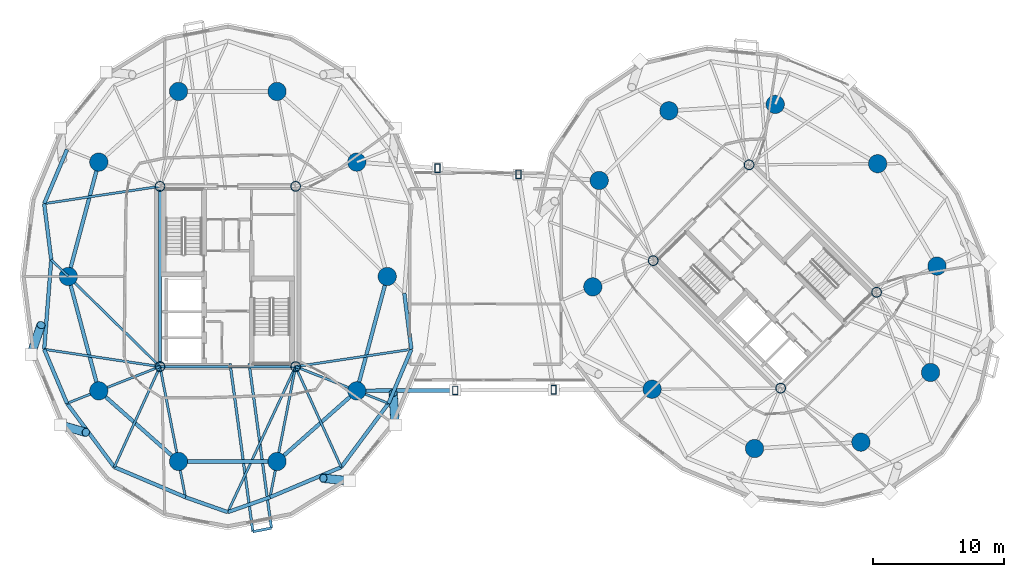
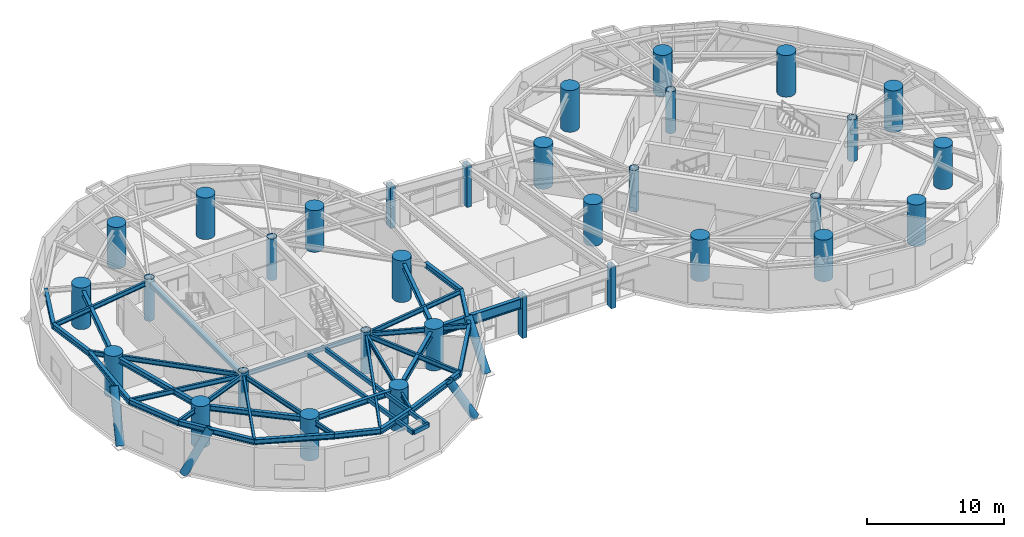
# One storey, part 1 of 20: 36 beams, 32 columns, 4 members.
"""IFC4 building model written with IfcOpenShell, lengths in metres."""

from ifc_helpers import new_model, si_unit, direction, frame, origin, origin_2d, place, context, subcontext, project, spatial, hollow_rectangle, circle, hollow_circle, i_section, extrude, material, material_profile, profile_set, type_object, element, save


model = new_model("IFC4")

# Units and contexts
model_context = context("Model", 3, precision=1e-05, world=origin(), true_north=direction((0.0, 1.0)))
body_context = subcontext(model_context, "Body", "Model", "MODEL_VIEW")
ifc_project = project(units=[si_unit("LENGTHUNIT", "METRE"), si_unit("AREAUNIT", "SQUARE_METRE"), si_unit("VOLUMEUNIT", "CUBIC_METRE"), si_unit("PLANEANGLEUNIT", "RADIAN"), si_unit("MASSUNIT", "GRAM", prefix="KILO")], contexts=[model_context])

# Site, building, storey
site_placement = place(None, origin())
site = spatial("IfcSite", under=ifc_project, at=site_placement, CompositionType="ELEMENT")
building_placement = place(site_placement, origin())
building = spatial("IfcBuilding", under=site, at=building_placement, Name="Cununo Teusaquillo Station Towers", CompositionType="ELEMENT")
storey_placement = place(building_placement, frame((0.0, 0.0, 140.320068359375)))
storey = spatial("IfcBuildingStorey", under=building, at=storey_placement, Name="L44", CompositionType="ELEMENT", Elevation=140.320068359375)

# Columns
ifc_material_1 = material(Name="Steel ASTM A572 Grade 50", Category="steel")
ifc_material_profile_1 = material_profile(ifc_material_1, hollow_rectangle(XDim=0.39990234375, YDim=0.64990234375, WallThickness=0.02490234375, at=origin_2d()), Name="RHS 650x400x25")
ifc_profile_set_1 = profile_set([ifc_material_profile_1], Name="Steel ASTM A572 Grade 50")
column_type_1 = type_object("IfcColumnType", Name="COL-BRG-POST", PredefinedType="COLUMN", material=ifc_profile_set_1)
for number, where, z_axis, x_axis, name in (
    (1, (33.862548828125, 15.81201171875, 0.0), (0.0, 0.0, 1.0), (1.0, 0.0, 0.0), "L44 Mid-Bridge Vierendeel Post S1"),
    (2, (41.377685546875, 15.8525390625, 0.0), (0.0, 0.0, 1.0), (1.0, 0.0, 0.0), "L44 Mid-Bridge Vierendeel Post S2"),
    (3, (32.51611328125, 32.761474609375, 0.0), (0.0, 0.0, 1.0), (1.0, 0.0, 0.0), "L44 Mid-Bridge Vierendeel Post N1"),
    (4, (38.684814453125, 32.294189453125, 0.0), (0.0, 0.0, 1.0), (1.0, 0.0, 0.0), "L44 Mid-Bridge Vierendeel Post N2"),
):
    element("IfcColumn", number, at=place(storey_placement, frame(where, z_axis=z_axis, x_axis=x_axis)), inside=storey, type_object=column_type_1, Name=name, PredefinedType="COLUMN", context=body_context, shape_type="SweptSolid", body=[
        extrude(hollow_rectangle(XDim=0.39990234375, YDim=0.64990234375, WallThickness=0.02490234375, at=origin_2d()), origin(), (0.0, 0.0, 1.0), 3.719970703125),
    ])
ifc_material_2 = material(Name="Steel EN 10025-2 S355J2", Category="steel")
ifc_material_profile_2 = material_profile(ifc_material_2, hollow_circle(Radius=0.3798828125, WallThickness=0.031982421875, at=origin_2d()), Name="CHS 760x32")
ifc_profile_set_2 = profile_set([ifc_material_profile_2], Name="Steel EN 10025-2 S355J2")
column_type_2 = type_object("IfcColumnType", Name="COL-CORE-Z2", PredefinedType="COLUMN", material=ifc_profile_set_2)
for number, where, z_axis, x_axis, name in (
    (5, (11.324951171875, 17.6201171875, 0.0), (0.0, 0.0, 1.0), (1.0, 0.0, 0.0), "L44 Tower A Core Column 1"),
    (6, (11.324951171875, 31.3798828125, 0.0), (0.0, 0.0, 1.0), (1.0, 0.0, 0.0), "L44 Tower A Core Column 2"),
    (7, (21.675048828125, 17.6201171875, 0.0), (0.0, 0.0, 1.0), (1.0, 0.0, 0.0), "L44 Tower A Core Column 3"),
    (8, (21.675048828125, 31.3798828125, 0.0), (0.0, 0.0, 1.0), (1.0, 0.0, 0.0), "L44 Tower A Core Column 4"),
    (9, (58.70556640625, 15.975830078125, 0.0), (0.0, 0.0, 1.0), (0.707106781187, 0.707106781187, 0.0), "L44 Tower B Core Column 1"),
    (10, (48.975830078125, 25.70556640625, 0.0), (0.0, 0.0, 1.0), (0.707106781187, 0.707106781187, 0.0), "L44 Tower B Core Column 2"),
    (11, (66.024169921875, 23.29443359375, 0.0), (0.0, 0.0, 1.0), (0.707106781187, 0.707106781187, 0.0), "L44 Tower B Core Column 3"),
    (12, (56.29443359375, 33.024169921875, 0.0), (0.0, 0.0, 1.0), (0.707106781187, 0.707106781187, 0.0), "L44 Tower B Core Column 4"),
):
    element("IfcColumn", number, at=place(storey_placement, frame(where, z_axis=z_axis, x_axis=x_axis)), inside=storey, type_object=column_type_2, Name=name, PredefinedType="COLUMN", context=body_context, shape_type="SweptSolid", body=[
        extrude(hollow_circle(Radius=0.3798828125, WallThickness=0.031982421875, at=origin_2d()), origin(), (0.0, 0.0, 1.0), 3.719970703125),
    ])
ifc_material_3 = material(Name="Concrete C60/75", Category="concrete")
ifc_material_profile_3 = material_profile(ifc_material_3, circle(Radius=0.699951171875, at=origin_2d()), Name="RC-CIRC-1400")
ifc_profile_set_3 = profile_set([ifc_material_profile_3], Name="Concrete C60/75")
column_type_3 = type_object("IfcColumnType", Name="COL-MEGA-Z2", PredefinedType="USERDEFINED", material=ifc_profile_set_3)
for number, where, z_axis, x_axis, name in (
    (13, (28.672119140625, 24.5, 0.0), (0.0, 0.0, 1.0), (1.0, 0.0, 0.0), "L44 Tower A Perimeter Column V00"),
    (14, (26.347412109375, 33.228515625, 0.0), (0.0, 0.0, 1.0), (1.0, 0.0, 0.0), "L44 Tower A Perimeter Column V02"),
    (15, (20.261474609375, 38.623291015625, 0.0), (0.0, 0.0, 1.0), (1.0, 0.0, 0.0), "L44 Tower A Perimeter Column V04"),
    (16, (12.738525390625, 38.623291015625, 0.0), (0.0, 0.0, 1.0), (1.0, 0.0, 0.0), "L44 Tower A Perimeter Column V06"),
    (17, (6.652587890625, 33.228515625, 0.0), (0.0, 0.0, 1.0), (1.0, 0.0, 0.0), "L44 Tower A Perimeter Column V08"),
    (18, (4.327880859375, 24.5, 0.0), (0.0, 0.0, 1.0), (1.0, 0.0, 0.0), "L44 Tower A Perimeter Column V10"),
    (19, (6.652587890625, 15.771484375, 0.0), (0.0, 0.0, 1.0), (1.0, 0.0, 0.0), "L44 Tower A Perimeter Column V12"),
    (20, (12.738525390625, 10.376708984375, 0.0), (0.0, 0.0, 1.0), (1.0, 0.0, 0.0), "L44 Tower A Perimeter Column V14"),
    (21, (20.261474609375, 10.376708984375, 0.0), (0.0, 0.0, 1.0), (1.0, 0.0, 0.0), "L44 Tower A Perimeter Column V16"),
    (22, (26.347412109375, 15.771484375, 0.0), (0.0, 0.0, 1.0), (1.0, 0.0, 0.0), "L44 Tower A Perimeter Column V18"),
    (23, (66.10693359375, 33.10693359375, 0.0), (0.0, 0.0, 1.0), (1.0, 0.0, 0.0), "L44 Tower B Perimeter Column V00"),
    (24, (58.291015625, 37.63525390625, 0.0), (0.0, 0.0, 1.0), (1.0, 0.0, 0.0), "L44 Tower B Perimeter Column V02"),
    (25, (50.173095703125, 37.146240234375, 0.0), (0.0, 0.0, 1.0), (1.0, 0.0, 0.0), "L44 Tower B Perimeter Column V04"),
    (26, (44.853759765625, 31.826904296875, 0.0), (0.0, 0.0, 1.0), (1.0, 0.0, 0.0), "L44 Tower B Perimeter Column V06"),
    (27, (44.36474609375, 23.708984375, 0.0), (0.0, 0.0, 1.0), (1.0, 0.0, 0.0), "L44 Tower B Perimeter Column V08"),
    (28, (48.89306640625, 15.89306640625, 0.0), (0.0, 0.0, 1.0), (1.0, 0.0, 0.0), "L44 Tower B Perimeter Column V10"),
    (29, (56.708984375, 11.36474609375, 0.0), (0.0, 0.0, 1.0), (1.0, 0.0, 0.0), "L44 Tower B Perimeter Column V12"),
    (30, (64.826904296875, 11.853759765625, 0.0), (0.0, 0.0, 1.0), (1.0, 0.0, 0.0), "L44 Tower B Perimeter Column V14"),
    (31, (70.146240234375, 17.173095703125, 0.0), (0.0, 0.0, 1.0), (1.0, 0.0, 0.0), "L44 Tower B Perimeter Column V16"),
    (32, (70.63525390625, 25.291015625, 0.0), (0.0, 0.0, 1.0), (1.0, 0.0, 0.0), "L44 Tower B Perimeter Column V18"),
):
    element("IfcColumn", number, at=place(storey_placement, frame(where, z_axis=z_axis, x_axis=x_axis)), inside=storey, type_object=column_type_3, Name=name, ObjectType="MEGA COLUMN", PredefinedType="USERDEFINED", context=body_context, shape_type="SweptSolid", body=[
        extrude(circle(Radius=0.699951171875, at=origin_2d()), origin(), (0.0, 0.0, 1.0), 3.719970703125),
    ])

# Beams
ifc_material_4 = material(Name="Steel EN 10025-2 S355J2", Category="steel")
ifc_material_profile_4 = material_profile(ifc_material_4, hollow_rectangle(XDim=0.199951171875, YDim=0.35009765625, WallThickness=0.013916015625, at=origin_2d()), Name="RHS 350x200x14")
ifc_profile_set_4 = profile_set([ifc_material_profile_4], Name="Steel EN 10025-2 S355J2")
beam_type_1 = type_object("IfcBeamType", Name="BM-BAL-CANT", PredefinedType="BEAM", material=ifc_profile_set_4)
beam_1_placement = place(storey_placement, frame((16.674560546875, 17.85009765625, 3.304931640625), z_axis=(0.13427925042, -0.990943531644, 0.0), x_axis=(0.990943531644, 0.13427925042, 0.0)))
element("IfcBeam", 33, at=beam_1_placement, inside=storey, type_object=beam_type_1, Name="L44 Tower A Balcony Cantilever Bracket 2A", PredefinedType="BEAM", context=body_context, shape_type="SweptSolid", body=[
    extrude(hollow_rectangle(XDim=0.199951171875, YDim=0.35009765625, WallThickness=0.013916015625, at=origin_2d()), origin(), (0.0, 0.0, 1.0), 12.947021484375),
])
beam_2_placement = place(storey_placement, frame((18.127685546875, 17.85009765625, 3.304931640625), z_axis=(0.134274846508, -0.990944128392, 0.0), x_axis=(0.990944128392, 0.134274846508, 0.0)))
element("IfcBeam", 34, at=beam_2_placement, inside=storey, type_object=beam_type_1, Name="L44 Tower A Balcony Cantilever Bracket 2B", PredefinedType="BEAM", context=body_context, shape_type="SweptSolid", body=[
    extrude(hollow_rectangle(XDim=0.199951171875, YDim=0.35009765625, WallThickness=0.013916015625, at=origin_2d()), origin(), (0.0, 0.0, 1.0), 12.671142578125),
])
ifc_material_5 = material(Name="Steel EN 10025-2 S355J2", Category="steel")
ifc_material_profile_5 = material_profile(ifc_material_5, i_section(OverallWidth=0.300048828125, OverallDepth=0.89990234375, WebThickness=0.0185546875, FlangeThickness=0.034912109375, FilletRadius=0.027099609375, at=origin_2d()), Name="HEB 900")
ifc_profile_set_5 = profile_set([ifc_material_profile_5], Name="Steel EN 10025-2 S355J2")
beam_type_2 = type_object("IfcBeamType", Name="BM-BRG-CH2", PredefinedType="BEAM", material=ifc_profile_set_5)
beam_3_placement = place(storey_placement, frame((26.347412109375, 15.771484375, 3.02001953125), z_axis=(0.999985459376, 0.00539268359, 0.0), x_axis=(-0.00539268359, 0.999985459376, 0.0)))
element("IfcBeam", 35, at=beam_3_placement, inside=storey, type_object=beam_type_2, Name="L44 Mid-Bridge Chord S1", PredefinedType="BEAM", context=body_context, shape_type="SweptSolid", body=[
    extrude(i_section(OverallWidth=0.300048828125, OverallDepth=0.89990234375, WebThickness=0.0185546875, FlangeThickness=0.034912109375, FilletRadius=0.027099609375, at=origin_2d()), origin(), (0.0, 0.0, 1.0), 7.51513671875),
])
ifc_material_6 = material(Name="Steel EN 10025-2 S355J2", Category="steel")
ifc_material_profile_6 = material_profile(ifc_material_6, hollow_rectangle(XDim=0.25, YDim=0.449951171875, WallThickness=0.01611328125, at=origin_2d()), Name="RHS 450x250x16")
ifc_profile_set_6 = profile_set([ifc_material_profile_6], Name="Steel EN 10025-2 S355J2")
beam_type_3 = type_object("IfcBeamType", Name="BM-COUP-1", PredefinedType="USERDEFINED", material=ifc_profile_set_6)
beam_4_placement = place(storey_placement, frame((11.324951171875, 17.6201171875, 3.2548828125), z_axis=(0.0, 1.0, 0.0), x_axis=(-1.0, 0.0, 0.0)))
element("IfcBeam", 36, at=beam_4_placement, inside=storey, type_object=beam_type_3, Name="L44 Tower A Core Beam 1", ObjectType="COUPLING BEAM", PredefinedType="USERDEFINED", context=body_context, shape_type="SweptSolid", body=[
    extrude(hollow_rectangle(XDim=0.25, YDim=0.449951171875, WallThickness=0.01611328125, at=origin_2d()), origin(), (0.0, 0.0, 1.0), 13.759765625),
])
ifc_material_7 = material(Name="Steel ASTM A572 Grade 50", Category="steel")
ifc_material_profile_7 = material_profile(ifc_material_7, i_section(OverallWidth=0.180908203125, OverallDepth=0.4169921875, WebThickness=0.010986328125, FlangeThickness=0.018310546875, FilletRadius=0.012939453125, at=origin_2d()), Name="W16X57")
ifc_profile_set_7 = profile_set([ifc_material_profile_7], Name="Steel ASTM A572 Grade 50")
beam_type_4 = type_object("IfcBeamType", Name="BM-JOIST-1", PredefinedType="JOIST", material=ifc_profile_set_7)
for number, where, z_axis, x_axis, name in (
    (37, (11.324951171875, 31.3798828125, 3.271484375), (-0.989018754675, -0.147790063606, 0.0), (0.147790063606, -0.989018754675, 0.0), "L44 Tower A Radial Spandrel Joist V09"),
    (38, (11.324951171875, 17.6201171875, 3.271484375), (-0.989018754675, 0.147790063606, 0.0), (-0.147790063606, -0.989018754675, 0.0), "L44 Tower A Radial Spandrel Joist V11"),
):
    element("IfcBeam", number, at=place(storey_placement, frame(where, z_axis=z_axis, x_axis=x_axis)), inside=storey, type_object=beam_type_4, Name=name, PredefinedType="JOIST", context=body_context, shape_type="SweptSolid", body=[
        extrude(i_section(OverallWidth=0.180908203125, OverallDepth=0.4169921875, WebThickness=0.010986328125, FlangeThickness=0.018310546875, FilletRadius=0.012939453125, at=origin_2d()), origin(), (0.0, 0.0, 1.0), 8.93701171875),
    ])
beam_5_placement = place(storey_placement, frame((11.324951171875, 17.6201171875, 3.271484375), z_axis=(-0.413558514621, -0.910477542274, 0.0), x_axis=(0.910477542274, -0.413558514621, 0.0)))
element("IfcBeam", 39, at=beam_5_placement, inside=storey, type_object=beam_type_4, Name="L44 Tower A Radial Spandrel Joist V13", PredefinedType="JOIST", context=body_context, shape_type="SweptSolid", body=[
    extrude(i_section(OverallWidth=0.180908203125, OverallDepth=0.4169921875, WebThickness=0.010986328125, FlangeThickness=0.018310546875, FilletRadius=0.012939453125, at=origin_2d()), origin(), (0.0, 0.0, 1.0), 8.428955078125),
])
beam_6_placement = place(storey_placement, frame((21.675048828125, 17.6201171875, 3.271484375), z_axis=(-0.422237603969, -0.906485193368, 0.0), x_axis=(0.906485193368, -0.422237603969, 0.0)))
element("IfcBeam", 40, at=beam_6_placement, inside=storey, type_object=beam_type_4, Name="L44 Tower A Radial Spandrel Joist V15", PredefinedType="JOIST", context=body_context, shape_type="SweptSolid", body=[
    extrude(i_section(OverallWidth=0.180908203125, OverallDepth=0.4169921875, WebThickness=0.010986328125, FlangeThickness=0.018310546875, FilletRadius=0.012939453125, at=origin_2d()), origin(), (0.0, 0.0, 1.0), 12.25634765625),
])
beam_7_placement = place(storey_placement, frame((21.675048828125, 17.6201171875, 3.271484375), z_axis=(0.413558514621, -0.910477542274, 0.0), x_axis=(0.910477542274, 0.413558514621, 0.0)))
element("IfcBeam", 41, at=beam_7_placement, inside=storey, type_object=beam_type_4, Name="L44 Tower A Radial Spandrel Joist V17", PredefinedType="JOIST", context=body_context, shape_type="SweptSolid", body=[
    extrude(i_section(OverallWidth=0.180908203125, OverallDepth=0.4169921875, WebThickness=0.010986328125, FlangeThickness=0.018310546875, FilletRadius=0.012939453125, at=origin_2d()), origin(), (0.0, 0.0, 1.0), 8.428955078125),
])
beam_8_placement = place(storey_placement, frame((21.675048828125, 17.6201171875, 3.271484375), z_axis=(0.989018754675, 0.147790063606, 0.0), x_axis=(-0.147790063606, 0.989018754675, 0.0)))
element("IfcBeam", 42, at=beam_8_placement, inside=storey, type_object=beam_type_4, Name="L44 Tower A Radial Spandrel Joist V19", PredefinedType="JOIST", context=body_context, shape_type="SweptSolid", body=[
    extrude(i_section(OverallWidth=0.180908203125, OverallDepth=0.4169921875, WebThickness=0.010986328125, FlangeThickness=0.018310546875, FilletRadius=0.012939453125, at=origin_2d()), origin(), (0.0, 0.0, 1.0), 8.93701171875),
])
ifc_material_8 = material(Name="Steel ASTM A572 Grade 50", Category="steel")
ifc_material_profile_8 = material_profile(ifc_material_8, i_section(OverallWidth=0.2041015625, OverallDepth=0.35009765625, WebThickness=0.008544921875, FlangeThickness=0.01513671875, FilletRadius=0.011962890625, at=origin_2d()), Name="W14X48")
ifc_profile_set_8 = profile_set([ifc_material_profile_8], Name="Steel ASTM A572 Grade 50")
beam_type_5 = type_object("IfcBeamType", Name="BM-LINTEL-1", PredefinedType="LINTEL", material=ifc_profile_set_8)
beam_9_placement = place(storey_placement, frame((11.324951171875, 17.6201171875, 3.304931640625), z_axis=(1.0, 0.0, 0.0), x_axis=(0.0, 1.0, 0.0)))
element("IfcBeam", 43, at=beam_9_placement, inside=storey, type_object=beam_type_5, Name="L44 Tower A Core Beam 3", PredefinedType="LINTEL", context=body_context, shape_type="SweptSolid", body=[
    extrude(i_section(OverallWidth=0.2041015625, OverallDepth=0.35009765625, WebThickness=0.008544921875, FlangeThickness=0.01513671875, FilletRadius=0.011962890625, at=origin_2d()), origin(), (0.0, 0.0, 1.0), 10.35009765625),
])
ifc_material_9 = material(Name="Steel ASTM A572 Grade 50", Category="steel")
ifc_material_profile_9 = material_profile(ifc_material_9, i_section(OverallWidth=0.180908203125, OverallDepth=0.4169921875, WebThickness=0.010986328125, FlangeThickness=0.018310546875, FilletRadius=0.012939453125, at=origin_2d()), Name="W16X57")
ifc_profile_set_9 = profile_set([ifc_material_profile_9], Name="Steel ASTM A572 Grade 50")
beam_type_6 = type_object("IfcBeamType", Name="BM-RAD-G2", PredefinedType="BEAM", material=ifc_profile_set_9)
beam_10_placement = place(storey_placement, frame((11.324951171875, 17.6201171875, 3.271484375), z_axis=(-0.713052701438, 0.701110437073, 0.0), x_axis=(-0.701110437073, -0.713052701438, 0.0)))
element("IfcBeam", 44, at=beam_10_placement, inside=storey, type_object=beam_type_6, Name="L44 Tower A Radial Girder 06A", PredefinedType="BEAM", context=body_context, shape_type="SweptSolid", body=[
    extrude(i_section(OverallWidth=0.180908203125, OverallDepth=0.4169921875, WebThickness=0.010986328125, FlangeThickness=0.018310546875, FilletRadius=0.012939453125, at=origin_2d()), origin(), (0.0, 0.0, 1.0), 9.812744140625),
])
beam_11_placement = place(storey_placement, frame((4.327880859375, 24.5, 3.271484375), z_axis=(-0.713027019349, 0.701136555657, 0.0), x_axis=(-0.701136555657, -0.713027019349, 0.0)))
element("IfcBeam", 45, at=beam_11_placement, inside=storey, type_object=beam_type_6, Name="L44 Tower A Perimeter Overhang Girder 06B", PredefinedType="BEAM", context=body_context, shape_type="SweptSolid", body=[
    extrude(i_section(OverallWidth=0.180908203125, OverallDepth=0.4169921875, WebThickness=0.010986328125, FlangeThickness=0.018310546875, FilletRadius=0.012939453125, at=origin_2d()), origin(), (0.0, 0.0, 1.0), 1.827392578125),
])
beam_12_placement = place(storey_placement, frame((11.324951171875, 17.6201171875, 3.271484375), z_axis=(-0.929862250459, -0.367907862341, 0.0), x_axis=(0.367907862341, -0.929862250459, 0.0)))
element("IfcBeam", 46, at=beam_12_placement, inside=storey, type_object=beam_type_6, Name="L44 Tower A Continuous Overhanging Radial Girder 07", PredefinedType="BEAM", context=body_context, shape_type="SweptSolid", body=[
    extrude(i_section(OverallWidth=0.180908203125, OverallDepth=0.4169921875, WebThickness=0.010986328125, FlangeThickness=0.018310546875, FilletRadius=0.012939453125, at=origin_2d()), origin(), (0.0, 0.0, 1.0), 7.632080078125),
])
for number, where, z_axis, x_axis, name in (
    (47, (11.324951171875, 17.6201171875, 3.271484375), (0.191552706487, -0.981482328235, 0.0), (0.981482328235, 0.191552706487, 0.0), "L44 Tower A Continuous Overhanging Radial Girder 08"),
    (48, (21.675048828125, 17.6201171875, 3.271484375), (-0.191552706487, -0.981482328235, 0.0), (0.981482328235, -0.191552706487, 0.0), "L44 Tower A Continuous Overhanging Radial Girder 09"),
):
    element("IfcBeam", number, at=place(storey_placement, frame(where, z_axis=z_axis, x_axis=x_axis)), inside=storey, type_object=beam_type_6, Name=name, PredefinedType="BEAM", context=body_context, shape_type="SweptSolid", body=[
        extrude(i_section(OverallWidth=0.180908203125, OverallDepth=0.4169921875, WebThickness=0.010986328125, FlangeThickness=0.018310546875, FilletRadius=0.012939453125, at=origin_2d()), origin(), (0.0, 0.0, 1.0), 10.159423828125),
    ])
beam_13_placement = place(storey_placement, frame((21.675048828125, 17.6201171875, 3.271484375), z_axis=(0.929862250459, -0.367907862341, 0.0), x_axis=(0.367907862341, 0.929862250459, 0.0)))
element("IfcBeam", 49, at=beam_13_placement, inside=storey, type_object=beam_type_6, Name="L44 Tower A Continuous Overhanging Radial Girder 10", PredefinedType="BEAM", context=body_context, shape_type="SweptSolid", body=[
    extrude(i_section(OverallWidth=0.180908203125, OverallDepth=0.4169921875, WebThickness=0.010986328125, FlangeThickness=0.018310546875, FilletRadius=0.012939453125, at=origin_2d()), origin(), (0.0, 0.0, 1.0), 7.632080078125),
])
ifc_material_10 = material(Name="Steel ASTM A572 Grade 50", Category="steel")
ifc_material_profile_10 = material_profile(ifc_material_10, i_section(OverallWidth=0.280029296875, OverallDepth=0.462890625, WebThickness=0.0107421875, FlangeThickness=0.017333984375, FilletRadius=0.013916015625, at=origin_2d()), Name="W18X76")
ifc_profile_set_10 = profile_set([ifc_material_profile_10], Name="Steel ASTM A572 Grade 50")
beam_type_7 = type_object("IfcBeamType", Name="BM-RING-Z2", PredefinedType="SPANDREL", material=ifc_profile_set_10)
for number, where, z_axis, x_axis, name in (
    (50, (6.652587890625, 33.228515625, 3.24853515625), (-0.257363196347, -0.966314744359, 0.0), (0.966314744359, -0.257363196347, 0.0), "L44 Tower A Structural Column Ring Girder 05"),
    (51, (4.327880859375, 24.5, 3.24853515625), (0.257363196347, -0.966314744359, 0.0), (0.966314744359, 0.257363196347, 0.0), "L44 Tower A Structural Column Ring Girder 06"),
):
    element("IfcBeam", number, at=place(storey_placement, frame(where, z_axis=z_axis, x_axis=x_axis)), inside=storey, type_object=beam_type_7, Name=name, PredefinedType="SPANDREL", context=body_context, shape_type="SweptSolid", body=[
        extrude(i_section(OverallWidth=0.280029296875, OverallDepth=0.462890625, WebThickness=0.0107421875, FlangeThickness=0.017333984375, FilletRadius=0.013916015625, at=origin_2d()), origin(), (0.0, 0.0, 1.0), 9.03271484375),
    ])
beam_14_placement = place(storey_placement, frame((6.652587890625, 15.771484375, 3.24853515625), z_axis=(0.74832120039, -0.66333655187, 0.0), x_axis=(0.66333655187, 0.74832120039, 0.0)))
element("IfcBeam", 52, at=beam_14_placement, inside=storey, type_object=beam_type_7, Name="L44 Tower A Structural Column Ring Girder 07", PredefinedType="SPANDREL", context=body_context, shape_type="SweptSolid", body=[
    extrude(i_section(OverallWidth=0.280029296875, OverallDepth=0.462890625, WebThickness=0.0107421875, FlangeThickness=0.017333984375, FilletRadius=0.013916015625, at=origin_2d()), origin(), (0.0, 0.0, 1.0), 8.1328125),
])
beam_15_placement = place(storey_placement, frame((12.738525390625, 10.376708984375, 3.24853515625), z_axis=(1.0, 0.0, 0.0), x_axis=(0.0, 1.0, 0.0)))
element("IfcBeam", 53, at=beam_15_placement, inside=storey, type_object=beam_type_7, Name="L44 Tower A Structural Column Ring Girder 08", PredefinedType="SPANDREL", context=body_context, shape_type="SweptSolid", body=[
    extrude(i_section(OverallWidth=0.280029296875, OverallDepth=0.462890625, WebThickness=0.0107421875, FlangeThickness=0.017333984375, FilletRadius=0.013916015625, at=origin_2d()), origin(), (0.0, 0.0, 1.0), 7.52294921875),
])
beam_16_placement = place(storey_placement, frame((20.261474609375, 10.376708984375, 3.24853515625), z_axis=(0.74832120039, 0.66333655187, 0.0), x_axis=(-0.66333655187, 0.74832120039, 0.0)))
element("IfcBeam", 54, at=beam_16_placement, inside=storey, type_object=beam_type_7, Name="L44 Tower A Structural Column Ring Girder 09", PredefinedType="SPANDREL", context=body_context, shape_type="SweptSolid", body=[
    extrude(i_section(OverallWidth=0.280029296875, OverallDepth=0.462890625, WebThickness=0.0107421875, FlangeThickness=0.017333984375, FilletRadius=0.013916015625, at=origin_2d()), origin(), (0.0, 0.0, 1.0), 8.1328125),
])
beam_17_placement = place(storey_placement, frame((26.347412109375, 15.771484375, 3.24853515625), z_axis=(0.257363196347, 0.966314744359, 0.0), x_axis=(-0.966314744359, 0.257363196347, 0.0)))
element("IfcBeam", 55, at=beam_17_placement, inside=storey, type_object=beam_type_7, Name="L44 Tower A Structural Column Ring Girder 10", PredefinedType="SPANDREL", context=body_context, shape_type="SweptSolid", body=[
    extrude(i_section(OverallWidth=0.280029296875, OverallDepth=0.462890625, WebThickness=0.0107421875, FlangeThickness=0.017333984375, FilletRadius=0.013916015625, at=origin_2d()), origin(), (0.0, 0.0, 1.0), 9.03271484375),
])
beam_18_placement = place(storey_placement, frame((4.228271484375, 34.187744140625, 3.24853515625), z_axis=(-0.388777827816, -0.921331536744, 0.0), x_axis=(0.921331536744, -0.388777827816, 0.0)))
element("IfcBeam", 56, at=beam_18_placement, inside=storey, type_object=beam_type_7, Name="L44 Tower A Spandrel Ring Beam 09", PredefinedType="SPANDREL", context=body_context, shape_type="SweptSolid", body=[
    extrude(i_section(OverallWidth=0.280029296875, OverallDepth=0.462890625, WebThickness=0.0107421875, FlangeThickness=0.017333984375, FilletRadius=0.013916015625, at=origin_2d()), origin(), (0.0, 0.0, 1.0), 4.481201171875),
])
beam_19_placement = place(storey_placement, frame((2.486083984375, 30.05908203125, 3.24853515625), z_axis=(0.124968535363, -0.992160705314, 0.0), x_axis=(0.992160705314, 0.124968535363, 0.0)))
element("IfcBeam", 57, at=beam_19_placement, inside=storey, type_object=beam_type_7, Name="L44 Tower A Spandrel Ring Beam 10", PredefinedType="SPANDREL", context=body_context, shape_type="SweptSolid", body=[
    extrude(i_section(OverallWidth=0.280029296875, OverallDepth=0.462890625, WebThickness=0.0107421875, FlangeThickness=0.017333984375, FilletRadius=0.013916015625, at=origin_2d()), origin(), (0.0, 0.0, 1.0), 4.3115234375),
])
beam_20_placement = place(storey_placement, frame((3.02490234375, 25.78125, 3.24853515625), z_axis=(-0.078527541639, -0.996911944559, 0.0), x_axis=(0.996911944559, -0.078527541639, 0.0)))
element("IfcBeam", 58, at=beam_20_placement, inside=storey, type_object=beam_type_7, Name="L44 Tower A Spandrel Ring Beam 11", PredefinedType="SPANDREL", context=body_context, shape_type="SweptSolid", body=[
    extrude(i_section(OverallWidth=0.280029296875, OverallDepth=0.462890625, WebThickness=0.0107421875, FlangeThickness=0.017333984375, FilletRadius=0.013916015625, at=origin_2d()), origin(), (0.0, 0.0, 1.0), 6.861572265625),
])
beam_21_placement = place(storey_placement, frame((2.486083984375, 18.94091796875, 3.24853515625), z_axis=(0.388777827816, -0.921331536744, 0.0), x_axis=(0.921331536744, 0.388777827816, 0.0)))
element("IfcBeam", 59, at=beam_21_placement, inside=storey, type_object=beam_type_7, Name="L44 Tower A Spandrel Ring Beam 12", PredefinedType="SPANDREL", context=body_context, shape_type="SweptSolid", body=[
    extrude(i_section(OverallWidth=0.280029296875, OverallDepth=0.462890625, WebThickness=0.0107421875, FlangeThickness=0.017333984375, FilletRadius=0.013916015625, at=origin_2d()), origin(), (0.0, 0.0, 1.0), 4.481201171875),
])
beam_22_placement = place(storey_placement, frame((4.228271484375, 14.812255859375, 3.24853515625), z_axis=(0.595872908853, -0.803078748626, 0.0), x_axis=(0.803078748626, 0.595872908853, 0.0)))
element("IfcBeam", 60, at=beam_22_placement, inside=storey, type_object=beam_type_7, Name="L44 Tower A Spandrel Ring Beam 13", PredefinedType="SPANDREL", context=body_context, shape_type="SweptSolid", body=[
    extrude(i_section(OverallWidth=0.280029296875, OverallDepth=0.462890625, WebThickness=0.0107421875, FlangeThickness=0.017333984375, FilletRadius=0.013916015625, at=origin_2d()), origin(), (0.0, 0.0, 1.0), 6.059814453125),
])
beam_23_placement = place(storey_placement, frame((7.839111328125, 9.94580078125, 3.24853515625), z_axis=(0.921042081118, -0.38946307246, 0.0), x_axis=(0.38946307246, 0.921042081118, 0.0)))
element("IfcBeam", 61, at=beam_23_placement, inside=storey, type_object=beam_type_7, Name="L44 Tower A Spandrel Ring Beam 14", PredefinedType="SPANDREL", context=body_context, shape_type="SweptSolid", body=[
    extrude(i_section(OverallWidth=0.280029296875, OverallDepth=0.462890625, WebThickness=0.0107421875, FlangeThickness=0.017333984375, FilletRadius=0.013916015625, at=origin_2d()), origin(), (0.0, 0.0, 1.0), 5.8974609375),
])
for number, where, z_axis, x_axis, name in (
    (62, (13.27099609375, 7.64892578125, 3.24853515625), (0.943057449198, -0.332629895698, 0.0), (0.332629895698, 0.943057449198, 0.0), "L44 Tower A Spandrel Ring Beam 15"),
    (63, (16.5, 6.510009765625, 3.24853515625), (0.943057449198, 0.332629895698, 0.0), (-0.332629895698, 0.943057449198, 0.0), "L44 Tower A Spandrel Ring Beam 16"),
):
    element("IfcBeam", number, at=place(storey_placement, frame(where, z_axis=z_axis, x_axis=x_axis)), inside=storey, type_object=beam_type_7, Name=name, PredefinedType="SPANDREL", context=body_context, shape_type="SweptSolid", body=[
        extrude(i_section(OverallWidth=0.280029296875, OverallDepth=0.462890625, WebThickness=0.0107421875, FlangeThickness=0.017333984375, FilletRadius=0.013916015625, at=origin_2d()), origin(), (0.0, 0.0, 1.0), 3.424072265625),
    ])
beam_24_placement = place(storey_placement, frame((19.72900390625, 7.64892578125, 3.24853515625), z_axis=(0.921042081118, 0.38946307246, 0.0), x_axis=(-0.38946307246, 0.921042081118, 0.0)))
element("IfcBeam", 64, at=beam_24_placement, inside=storey, type_object=beam_type_7, Name="L44 Tower A Spandrel Ring Beam 17", PredefinedType="SPANDREL", context=body_context, shape_type="SweptSolid", body=[
    extrude(i_section(OverallWidth=0.280029296875, OverallDepth=0.462890625, WebThickness=0.0107421875, FlangeThickness=0.017333984375, FilletRadius=0.013916015625, at=origin_2d()), origin(), (0.0, 0.0, 1.0), 5.8974609375),
])
beam_25_placement = place(storey_placement, frame((25.160888671875, 9.94580078125, 3.24853515625), z_axis=(0.595872908853, 0.803078748626, 0.0), x_axis=(-0.803078748626, 0.595872908853, 0.0)))
element("IfcBeam", 65, at=beam_25_placement, inside=storey, type_object=beam_type_7, Name="L44 Tower A Spandrel Ring Beam 18", PredefinedType="SPANDREL", context=body_context, shape_type="SweptSolid", body=[
    extrude(i_section(OverallWidth=0.280029296875, OverallDepth=0.462890625, WebThickness=0.0107421875, FlangeThickness=0.017333984375, FilletRadius=0.013916015625, at=origin_2d()), origin(), (0.0, 0.0, 1.0), 6.059814453125),
])
beam_26_placement = place(storey_placement, frame((28.771728515625, 14.812255859375, 3.24853515625), z_axis=(0.388777827816, 0.921331536744, 0.0), x_axis=(-0.921331536744, 0.388777827816, 0.0)))
element("IfcBeam", 66, at=beam_26_placement, inside=storey, type_object=beam_type_7, Name="L44 Tower A Spandrel Ring Beam 19", PredefinedType="SPANDREL", context=body_context, shape_type="SweptSolid", body=[
    extrude(i_section(OverallWidth=0.280029296875, OverallDepth=0.462890625, WebThickness=0.0107421875, FlangeThickness=0.017333984375, FilletRadius=0.013916015625, at=origin_2d()), origin(), (0.0, 0.0, 1.0), 4.481201171875),
])
beam_27_placement = place(storey_placement, frame((30.513916015625, 18.94091796875, 3.24853515625), z_axis=(-0.124968535363, 0.992160705314, 0.0), x_axis=(-0.992160705314, -0.124968535363, 0.0)))
element("IfcBeam", 67, at=beam_27_placement, inside=storey, type_object=beam_type_7, Name="L44 Tower A Spandrel Ring Beam 20", PredefinedType="SPANDREL", context=body_context, shape_type="SweptSolid", body=[
    extrude(i_section(OverallWidth=0.280029296875, OverallDepth=0.462890625, WebThickness=0.0107421875, FlangeThickness=0.017333984375, FilletRadius=0.013916015625, at=origin_2d()), origin(), (0.0, 0.0, 1.0), 4.3115234375),
])
ifc_material_11 = material(Name="Steel EN 10025-2 S355J2", Category="steel")
ifc_material_profile_11 = material_profile(ifc_material_11, hollow_rectangle(XDim=0.199951171875, YDim=0.35009765625, WallThickness=0.013916015625, at=origin_2d()), Name="RHS 350x200x14")
ifc_profile_set_11 = profile_set([ifc_material_profile_11], Name="Steel EN 10025-2 S355J2")
beam_type_8 = type_object("IfcBeamType", Name="BM-STAIR-TRIM", PredefinedType="BEAM", material=ifc_profile_set_11)
beam_28_placement = place(storey_placement, frame((18.4130859375, 5.020263671875, 3.3349609375), z_axis=(0.981861262275, 0.189600795474, 0.0), x_axis=(-0.189600795474, 0.981861262275, 0.0)))
element("IfcBeam", 68, at=beam_28_placement, inside=storey, type_object=beam_type_8, Name="L44 Tower A Balcony Edge Trimmer Beam 2", PredefinedType="BEAM", context=body_context, shape_type="SweptSolid", body=[
    extrude(hollow_rectangle(XDim=0.199951171875, YDim=0.35009765625, WallThickness=0.013916015625, at=origin_2d()), origin(), (0.0, 0.0, 1.0), 1.442138671875),
])

# Members
ifc_material_12 = material(Name="Steel EN 10025-2 S355J2", Category="steel")
ifc_material_profile_12 = material_profile(ifc_material_12, hollow_circle(Radius=0.330078125, WallThickness=0.02490234375, at=origin_2d()), Name="CHS 660x25")
ifc_profile_set_12 = profile_set([ifc_material_profile_12], Name="Steel EN 10025-2 S355J2")
member_type = type_object("IfcMemberType", Name="MBR-DIAG-Z2", PredefinedType="BRACE", material=ifc_profile_set_12)
member_1_placement = place(storey_placement, frame((1.472412109375, 18.5390625, -0.14013671875), z_axis=(0.175055388454, 0.510357186794, 0.841956740492), x_axis=(-0.945902847086, 0.324450002119, 0.0)))
element("IfcMember", 69, at=member_1_placement, inside=storey, type_object=member_type, Name="L44 Tower A Folded-Zigzag Diagrid Tube C10", PredefinedType="BRACE", context=body_context, shape_type="SweptSolid", body=[
    extrude(hollow_circle(Radius=0.330078125, WallThickness=0.02490234375, at=origin_2d()), origin(), (0.0, 0.0, 1.0), 4.418212890625),
])
member_2_placement = place(storey_placement, frame((3.716796875, 13.16162109375, -0.14013671875), z_axis=(0.459977484152, -0.132755621131, 0.877950260055), x_axis=(0.277295260804, 0.960784751303, 0.0)))
element("IfcMember", 70, at=member_2_placement, inside=storey, type_object=member_type, Name="L44 Tower A Folded-Zigzag Diagrid Tube C12", PredefinedType="BRACE", context=body_context, shape_type="SweptSolid", body=[
    extrude(hollow_circle(Radius=0.330078125, WallThickness=0.02490234375, at=origin_2d()), origin(), (0.0, 0.0, 1.0), 4.237060546875),
])
member_3_placement = place(storey_placement, frame((25.78759765625, 8.89404296875, -0.14013671875), z_axis=(-0.47224557706, 0.047311208271, 0.880196435189), x_axis=(-0.099684482044, -0.995019097324, 0.0)))
element("IfcMember", 71, at=member_3_placement, inside=storey, type_object=member_type, Name="L44 Tower A Folded-Zigzag Diagrid Tube C16", PredefinedType="BRACE", context=body_context, shape_type="SweptSolid", body=[
    extrude(hollow_circle(Radius=0.330078125, WallThickness=0.02490234375, at=origin_2d()), origin(), (0.0, 0.0, 1.0), 4.226318359375),
])
member_4_placement = place(storey_placement, frame((29.283203125, 13.16162109375, -0.14013671875), z_axis=(-0.037036384851, 0.547425202461, 0.83603466071), x_axis=(-0.997719186324, -0.067501298062, 0.0)))
element("IfcMember", 72, at=member_4_placement, inside=storey, type_object=member_type, Name="L44 Tower A Folded-Zigzag Diagrid Tube C18", PredefinedType="BRACE", context=body_context, shape_type="SweptSolid", body=[
    extrude(hollow_circle(Radius=0.330078125, WallThickness=0.02490234375, at=origin_2d()), origin(), (0.0, 0.0, 1.0), 4.449462890625),
])

save(model, "model.ifc")
